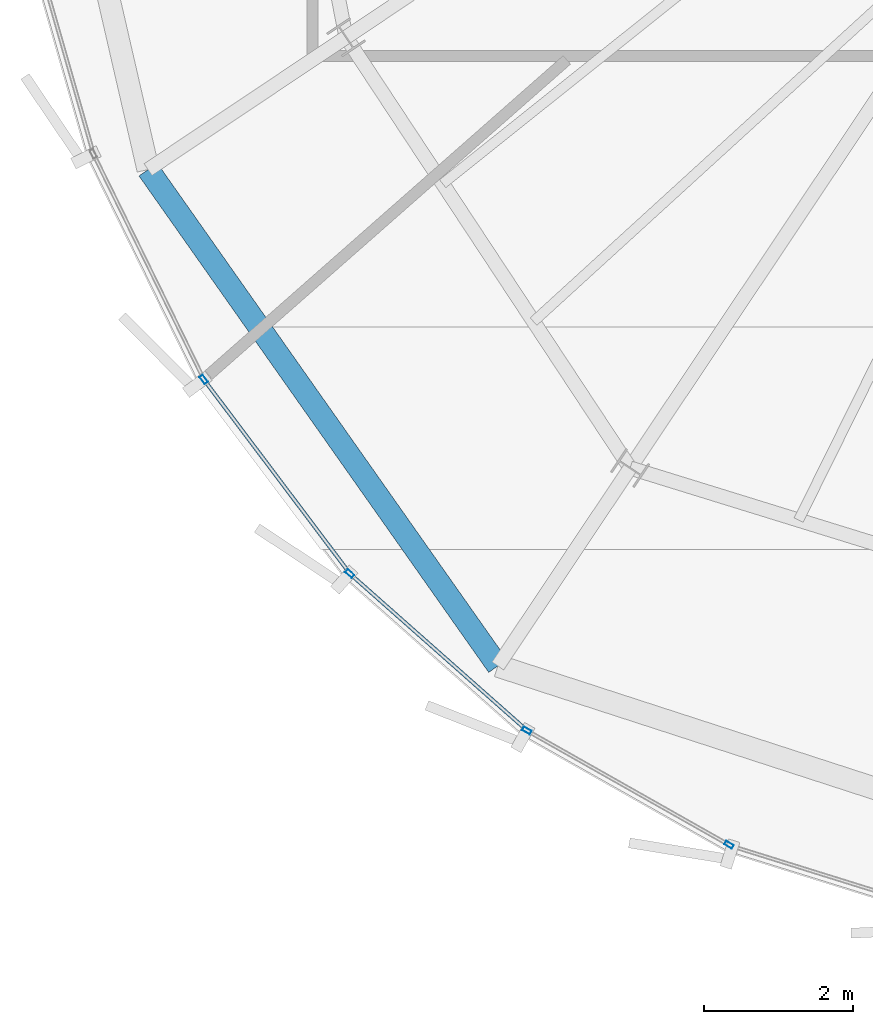
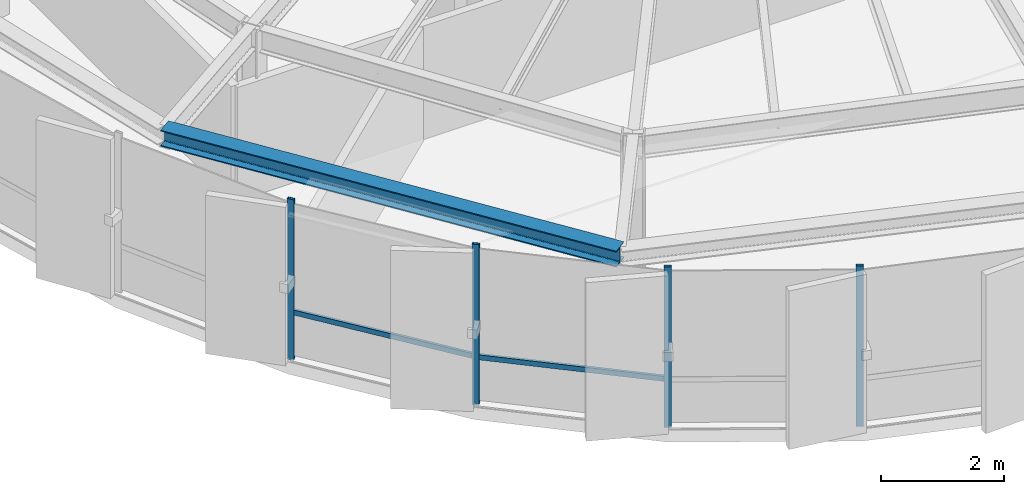
# One storey, part 2 of 31: 6 members, 1 beam, 1 element without a shape of its own.
"""IFC4 building model written with IfcOpenShell, lengths in metres."""

from ifc_helpers import new_model, si_unit, direction, frame, origin, origin_2d, place, context, subcontext, project, spatial, hollow_rectangle, i_section, extrude, source, transform, mapped, material, layer, layer_set, material_profile, profile_set, type_object, element, aggregate, save


model = new_model("IFC4")

# Units and contexts
model_context = context("Model", 3, precision=1e-05, world=origin(), true_north=direction((0.0, 1.0)))
body_context = subcontext(model_context, "Body", "Model", "MODEL_VIEW")
ifc_project = project(units=[si_unit("LENGTHUNIT", "METRE"), si_unit("AREAUNIT", "SQUARE_METRE"), si_unit("VOLUMEUNIT", "CUBIC_METRE"), si_unit("PLANEANGLEUNIT", "RADIAN"), si_unit("MASSUNIT", "GRAM", prefix="KILO"), si_unit("THERMODYNAMICTEMPERATUREUNIT", "KELVIN")], contexts=[model_context])

# Site, building, storey
site_placement = place(None, origin())
site = spatial("IfcSite", under=ifc_project, at=site_placement, CompositionType="ELEMENT")
building_placement = place(site_placement, origin())
building = spatial("IfcBuilding", under=site, at=building_placement, Name="Kethvar Cultural Tower", CompositionType="ELEMENT")
storey_placement = place(building_placement, frame((0.0, 0.0, 300.85009765625)))
storey = spatial("IfcBuildingStorey", under=building, at=storey_placement, Name="L80", CompositionType="ELEMENT", Elevation=300.85009765625)

# Beam
ifc_material_1 = material(Name="Steel S355J2", Category="steel")
ifc_material_profile_1 = material_profile(ifc_material_1, i_section(OverallWidth=0.300048828125, OverallDepth=0.320068359375, WebThickness=0.011474609375, FlangeThickness=0.0205078125, FilletRadius=0.027099609375, at=origin_2d()), Name="Steel S355J2 — HEB320")
ifc_profile_set_1 = profile_set([ifc_material_profile_1], Name="Steel S355J2 — HEB320")
beam_type = type_object("IfcBeamType", Name="BM-SP320", PredefinedType="SPANDREL", material=ifc_profile_set_1)
shared_shape_1 = source(origin(), body_context, "Body", "SweptSolid", [
    extrude(i_section(OverallWidth=0.300048828125, OverallDepth=0.320068359375, WebThickness=0.011474609375, FlangeThickness=0.0205078125, FilletRadius=0.027099609375, at=origin_2d()), origin(), (0.0, 0.0, 1.0), 8.16259765625),
])
beam_placement = place(storey_placement, frame((30.252197265625, 16.7431640625, 3.02294921875), z_axis=(0.575940812748, -0.817491394579, 0.0), x_axis=(0.817491394579, 0.575940812748, 0.0)))
element("IfcBeam", 1, at=beam_placement, inside=storey, type_object=beam_type, Name="L80 Perimeter Spandrel Beam SP-10", PredefinedType="SPANDREL", context=body_context, shape_type="MappedRepresentation", body=[
    mapped(shared_shape_1, transform((0.0, 0.0, 0.0), scale=1.0)),
])

# Curtain wall, members
ifc_material_2 = material(Name="Aluminium 6063-T6", Category="aluminium")
ifc_layer = layer(ifc_material_2, 0.179931640625, Name="Aluminium 6063-T6", Category="aluminium")
ifc_layer_set = layer_set([ifc_layer], Name="Aluminium 6063-T6 (180 mm)")
curtain_wall_type = type_object("IfcCurtainWallType", Name="CW-SYS-05-Z56", PredefinedType="NOTDEFINED", material=ifc_layer_set)
curtain_wall_placement = place(storey_placement, origin())
curtain_wall = element("IfcCurtainWall", 2, at=curtain_wall_placement, inside=storey, type_object=curtain_wall_type, Name="L80 Curtain Wall Run 03", PredefinedType="NOTDEFINED")
ifc_material_profile_2 = material_profile(ifc_material_2, hollow_rectangle(XDim=0.050048828125, YDim=0.10009765625, WallThickness=0.00390625, at=origin_2d()), Name="Aluminium 6063-T6 — RHS100x50x4")
ifc_profile_set_2 = profile_set([ifc_material_profile_2], Name="Aluminium 6063-T6 — RHS100x50x4")
member_type_1 = type_object("IfcMemberType", Name="CW-SYS-05-Z56-TRN", PredefinedType="USERDEFINED", material=ifc_profile_set_2)
shared_shape_2 = source(origin(), body_context, "Body", "SweptSolid", [
    extrude(hollow_rectangle(XDim=0.050048828125, YDim=0.10009765625, WallThickness=0.00390625, at=origin_2d()), origin(), (0.0, 0.0, 1.0), 3.20654296875),
])
member_1_placement = place(storey_placement, frame((31.0234375, 13.89111328125, 0.949951171875), z_axis=(0.601339189893, -0.798993853981, 0.0), x_axis=(0.798993853981, 0.601339189893, 0.0)))
member_1 = element("IfcMember", 3, at=member_1_placement, type_object=member_type_1, Name="CW-L80-R03 Transom 4", ObjectType="TRANSOM", PredefinedType="USERDEFINED", context=body_context, shape_type="MappedRepresentation", body=[
    mapped(shared_shape_2, transform((0.0, 0.0, 0.0), scale=1.0)),
])
ifc_material_profile_3 = material_profile(ifc_material_2, hollow_rectangle(XDim=0.054931640625, YDim=0.1201171875, WallThickness=0.00390625, at=origin_2d()), Name="Aluminium 6063-T6 — RHS120x55x4")
ifc_profile_set_3 = profile_set([ifc_material_profile_3], Name="Aluminium 6063-T6 — RHS120x55x4")
member_type_2 = type_object("IfcMemberType", Name="CW-SYS-05-Z56-MUL", PredefinedType="MULLION", material=ifc_profile_set_3)
shared_shape_3 = source(origin(), body_context, "Body", "SweptSolid", [
    extrude(hollow_rectangle(XDim=0.054931640625, YDim=0.1201171875, WallThickness=0.00390625, at=origin_2d()), origin(), (0.0, 0.0, 1.0), 3.184814453125),
])
member_2_placement = place(storey_placement, frame((30.99951171875, 13.922607421875, 0.0), z_axis=(0.0, 0.0, 1.0), x_axis=(0.798971502388, 0.6013688871, 0.0)))
member_2 = element("IfcMember", 4, at=member_2_placement, type_object=member_type_2, Name="CW-L80-R03 Mullion 4", PredefinedType="MULLION", context=body_context, shape_type="MappedRepresentation", body=[
    mapped(shared_shape_3, transform((0.0, 0.0, 0.0), scale=1.0)),
])
member_3_placement = place(storey_placement, frame((32.9619140625, 11.312255859375, 0.0), z_axis=(0.0, 0.0, 1.0), x_axis=(0.662620048216, 0.748955720789, 0.0)))
member_3 = element("IfcMember", 5, at=member_3_placement, type_object=member_type_2, Name="CW-L80-R03 Mullion 5", PredefinedType="MULLION", context=body_context, shape_type="MappedRepresentation", body=[
    mapped(shared_shape_3, transform((0.0, 0.0, 0.0), scale=1.0)),
])
member_4_placement = place(storey_placement, frame((35.34326171875, 9.202392578125, 0.0), z_axis=(0.0, 0.0, 1.0), x_axis=(0.492302030723, 0.870424442755, 0.0)))
member_4 = element("IfcMember", 6, at=member_4_placement, type_object=member_type_2, Name="CW-L80-R03 Mullion 6", PredefinedType="MULLION", context=body_context, shape_type="MappedRepresentation", body=[
    mapped(shared_shape_3, transform((0.0, 0.0, 0.0), scale=1.0)),
])
member_5_placement = place(storey_placement, frame((38.06005859375, 7.666015625, 0.0), z_axis=(0.0, 0.0, 1.0), x_axis=(0.492302030723, 0.870424442755, 0.0)))
member_5 = element("IfcMember", 7, at=member_5_placement, type_object=member_type_2, Name="CW-L80-R03 Mullion 7", PredefinedType="MULLION", context=body_context, shape_type="MappedRepresentation", body=[
    mapped(shared_shape_3, transform((0.0, 0.0, 0.0), scale=1.0)),
])
shared_shape_4 = source(origin(), body_context, "Body", "SweptSolid", [
    extrude(hollow_rectangle(XDim=0.050048828125, YDim=0.10009765625, WallThickness=0.00390625, at=origin_2d()), origin(), (0.0, 0.0, 1.0), 3.123291015625),
])
member_6_placement = place(storey_placement, frame((32.991455078125, 11.2861328125, 0.949951171875), z_axis=(0.748938370636, -0.662639658479, 0.0), x_axis=(0.662639658479, 0.748938370636, 0.0)))
member_6 = element("IfcMember", 8, at=member_6_placement, type_object=member_type_1, Name="CW-L80-R03 Transom 5", ObjectType="TRANSOM", PredefinedType="USERDEFINED", context=body_context, shape_type="MappedRepresentation", body=[
    mapped(shared_shape_4, transform((0.0, 0.0, 0.0), scale=1.0)),
])
aggregate(curtain_wall, [member_2, member_3, member_4, member_5, member_1, member_6])

save(model, "model.ifc")
